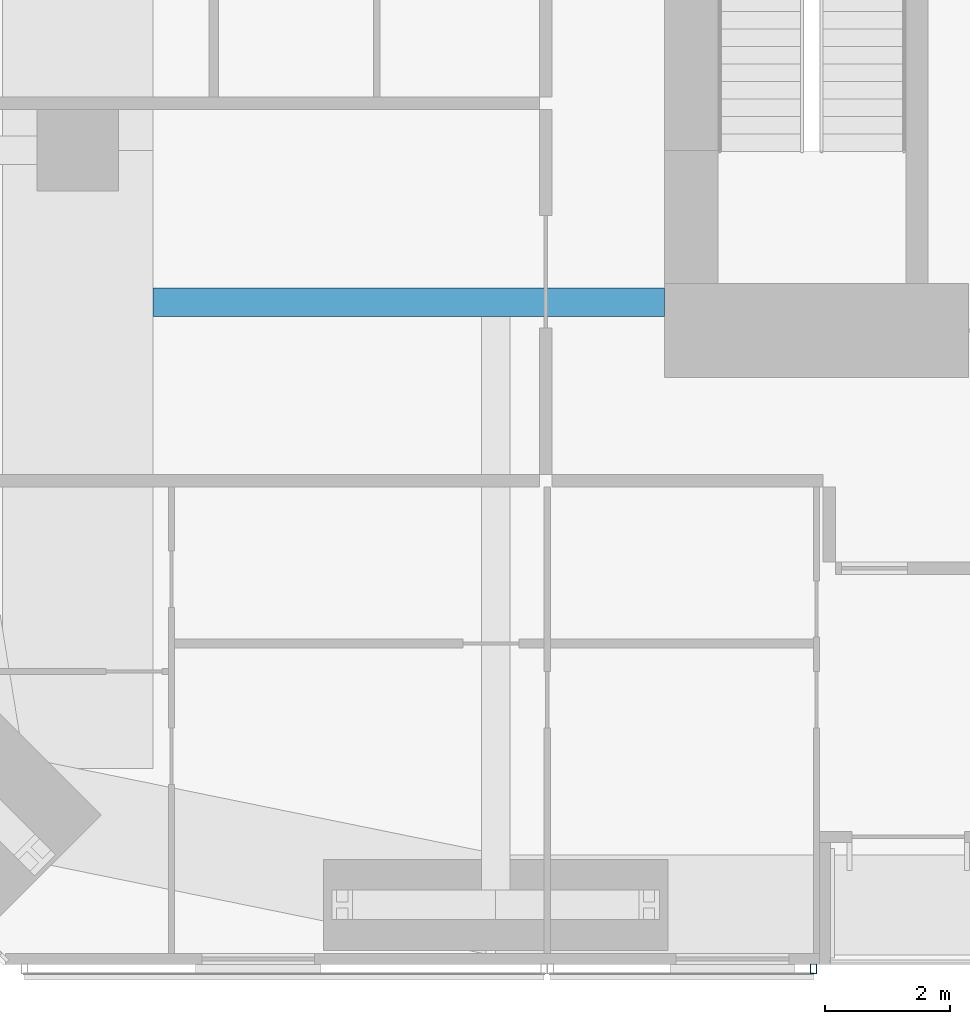
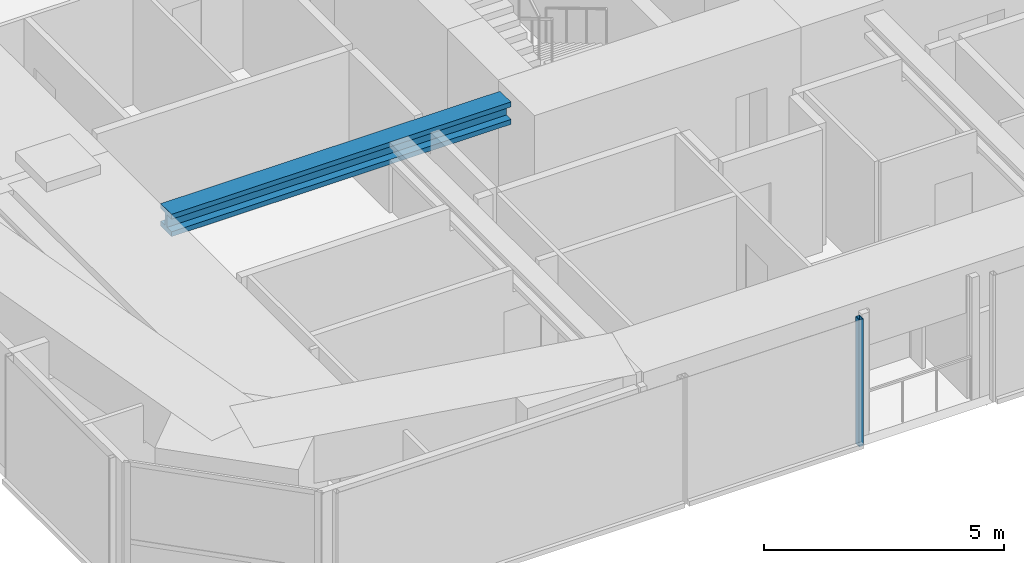
# One storey, part 4 of 25: 1 beam, 1 member, 1 element without a shape of its own.
"""IFC4 building model written with IfcOpenShell, lengths in metres."""

from ifc_helpers import new_model, si_unit, direction, frame, origin, origin_2d, place, context, subcontext, project, spatial, hollow_rectangle, i_section, extrude, material, material_profile, profile_set, type_object, element, aggregate, save


model = new_model("IFC4")

# Units and contexts
model_context = context("Model", 3, precision=1e-05, world=origin(), true_north=direction((0.0, 1.0)))
body_context = subcontext(model_context, "Body", "Model", "MODEL_VIEW")
ifc_project = project(units=[si_unit("LENGTHUNIT", "METRE"), si_unit("AREAUNIT", "SQUARE_METRE"), si_unit("VOLUMEUNIT", "CUBIC_METRE"), si_unit("PLANEANGLEUNIT", "RADIAN"), si_unit("MASSUNIT", "GRAM", prefix="KILO")], contexts=[model_context])

# Site, building, storey
site_placement = place(None, origin())
site = spatial("IfcSite", under=ifc_project, at=site_placement, CompositionType="ELEMENT")
building_placement = place(site_placement, origin())
building = spatial("IfcBuilding", under=site, at=building_placement, Name="Jalousie Tower", CompositionType="ELEMENT")
storey_placement = place(building_placement, frame((0.0, 0.0, 94.800048828125)))
storey = spatial("IfcBuildingStorey", under=building, at=storey_placement, Name="L25", CompositionType="ELEMENT", Elevation=94.800048828125)

# Beam
ifc_material_1 = material(Name="Steel ASTM A992 Grade 50", Category="steel")
ifc_material_profile_1 = material_profile(ifc_material_1, i_section(OverallWidth=0.45458984375, OverallDepth=0.569091796875, WebThickness=0.077880859375, FlangeThickness=0.124755859375, at=origin_2d()), Name="W14X730")
ifc_profile_set_1 = profile_set([ifc_material_profile_1], Name="Steel ASTM A992 Grade 50")
beam_type = type_object("IfcBeamType", Name="LEAN COLLECTOR W14X730", PredefinedType="BEAM", material=ifc_profile_set_1)
beam_placement = place(storey_placement, frame((11.39990234375, 10.574951171875, 2.825439453125), z_axis=(1.0, 0.0, 0.0), x_axis=(0.0, 1.0, 0.0)))
element("IfcBeam", 1, at=beam_placement, inside=storey, type_object=beam_type, Name="Lean collector under L26", PredefinedType="BEAM", context=body_context, shape_type="SweptSolid", body=[
    extrude(i_section(OverallWidth=0.45458984375, OverallDepth=0.569091796875, WebThickness=0.077880859375, FlangeThickness=0.124755859375, at=origin_2d()), origin(), (0.0, 0.0, 1.0), 8.175048828125),
])

# Curtain wall, member
ifc_material_2 = material(Name="Perforated aluminium sheet", Category="aluminium")
curtain_wall_type = type_object("IfcCurtainWallType", Name="SOLAR SCREEN SS-1", PredefinedType="USERDEFINED", material=ifc_material_2)
curtain_wall_placement = place(storey_placement, origin())
curtain_wall = element("IfcCurtainWall", 2, at=curtain_wall_placement, inside=storey, type_object=curtain_wall_type, Name="Solar screen L25", ObjectType="SOLAR SCREEN SS-1", PredefinedType="USERDEFINED")
ifc_material_3 = material(Name="Steel ASTM A500 Grade C", Category="steel")
ifc_material_profile_2 = material_profile(ifc_material_3, hollow_rectangle(XDim=0.1015625, YDim=0.15234375, WallThickness=0.00634765625, at=origin_2d()), Name="HSS6X4X1/4")
ifc_profile_set_2 = profile_set([ifc_material_profile_2], Name="Steel ASTM A500 Grade C")
member_type = type_object("IfcMemberType", Name="SOLAR SCREEN SS-1 MULLION", PredefinedType="MULLION", material=ifc_profile_set_2)
member_placement = place(storey_placement, frame((21.949951171875, -0.0712890625, -0.1201171875), z_axis=(0.0, 0.0, 1.0), x_axis=(1.0, 0.0, 0.0)))
member = element("IfcMember", 3, at=member_placement, type_object=member_type, Name="SS1 post 2", PredefinedType="MULLION", context=body_context, shape_type="SweptSolid", body=[
    extrude(hollow_rectangle(XDim=0.1015625, YDim=0.15234375, WallThickness=0.00634765625, at=origin_2d()), origin(), (0.0, 0.0, 1.0), 3.22998046875),
])
aggregate(curtain_wall, [member])

save(model, "model.ifc")
